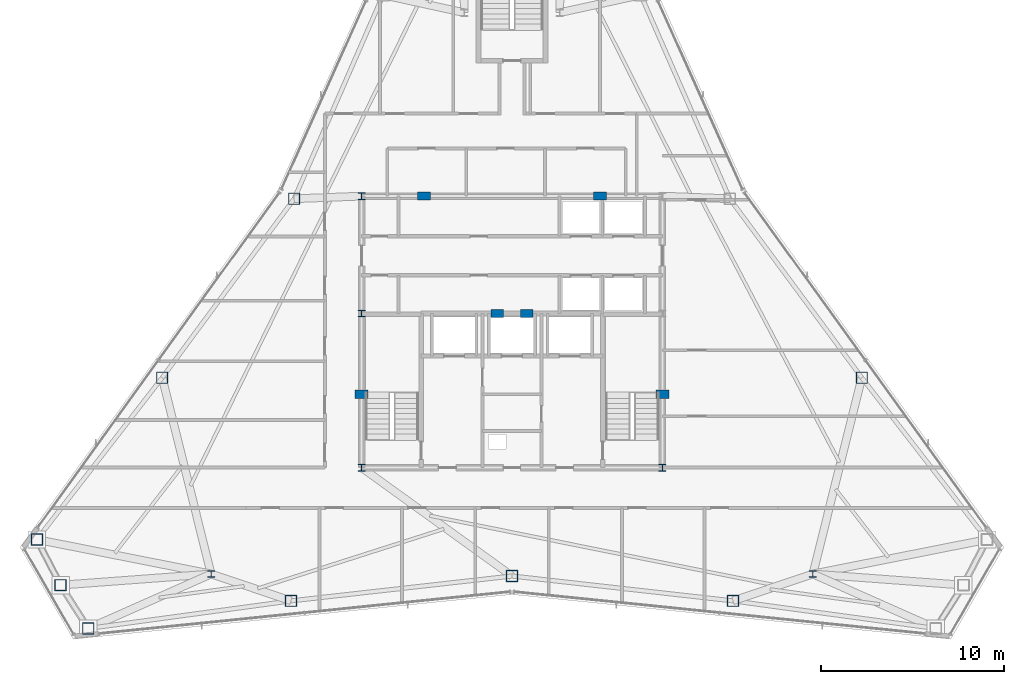
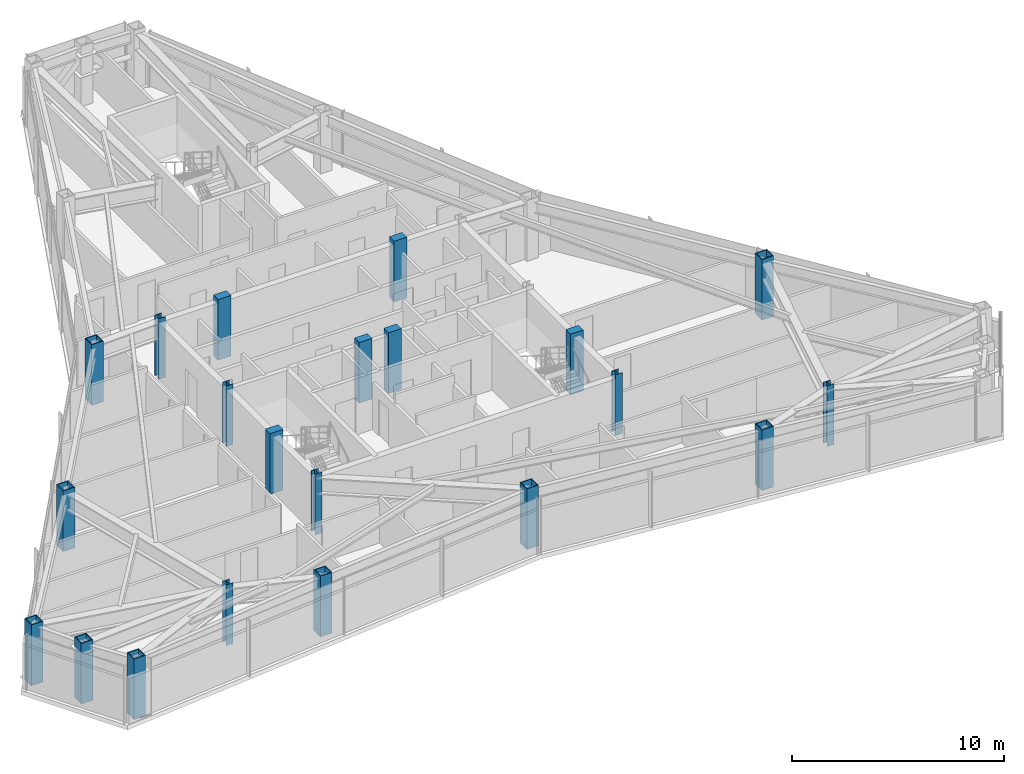
# One storey, part 1 of 12: 21 columns.
"""IFC4 building model written with IfcOpenShell, lengths in metres."""

from ifc_helpers import new_model, si_unit, direction, frame, origin, origin_2d, place, context, subcontext, project, spatial, rectangle, hollow_rectangle, i_section, extrude, material, material_profile, profile_set, type_object, element, save


model = new_model("IFC4")

# Units and contexts
model_context = context("Model", 3, precision=1e-05, world=origin(), true_north=direction((0.0, 1.0)))
body_context = subcontext(model_context, "Body", "Model", "MODEL_VIEW")
ifc_project = project(units=[si_unit("LENGTHUNIT", "METRE"), si_unit("AREAUNIT", "SQUARE_METRE"), si_unit("VOLUMEUNIT", "CUBIC_METRE"), si_unit("PLANEANGLEUNIT", "RADIAN"), si_unit("MASSUNIT", "GRAM", prefix="KILO")], contexts=[model_context])

# Site, building, storey
site_placement = place(None, origin())
site = spatial("IfcSite", under=ifc_project, at=site_placement, CompositionType="ELEMENT")
building_placement = place(site_placement, origin())
building = spatial("IfcBuilding", under=site, at=building_placement, Name="Varakhsha Concourse Tower", CompositionType="ELEMENT")
storey_placement = place(building_placement, frame((0.0, 0.0, 255.0)))
storey = spatial("IfcBuildingStorey", under=building, at=storey_placement, Name="L72", CompositionType="ELEMENT", Elevation=255.0)

# Columns
ifc_material_1 = material(Name="Structural Steel ASTM A992 Grade 50", Category="steel")
ifc_material_profile_1 = material_profile(ifc_material_1, i_section(OverallWidth=0.3740234375, OverallDepth=0.3720703125, WebThickness=0.01611328125, FlangeThickness=0.02587890625, at=origin_2d()), Name="W14X132")
ifc_profile_set_1 = profile_set([ifc_material_profile_1], Name="Structural Steel ASTM A992 Grade 50")
column_type_1 = type_object("IfcColumnType", Name="CL-CORE-W14X132", PredefinedType="COLUMN", material=ifc_profile_set_1)
for number, where, z_axis, x_axis, name in (
    (1, (31.800048828125, 16.39990234375, 0.0), (0.0, 0.0, 1.0), (1.0, 0.0, 0.0), "L72 Core Column CC-SW"),
    (2, (48.199951171875, 16.39990234375, 0.0), (0.0, 0.0, 1.0), (1.0, 0.0, 0.0), "L72 Core Column CC-SE"),
    (3, (31.800048828125, 24.800048828125, 0.0), (0.0, 0.0, 1.0), (1.0, 0.0, 0.0), "L72 Core Column CC-MW"),
    (4, (31.800048828125, 31.199951171875, 0.0), (0.0, 0.0, 1.0), (1.0, 0.0, 0.0), "L72 Core Column CC-NW"),
    (5, (23.60009765625, 10.60009765625, 0.0), (0.0, 0.0, 1.0), (1.0, 0.0, 0.0), "L72 Core Column SS-W"),
    (6, (56.39990234375, 10.60009765625, 0.0), (0.0, 0.0, 1.0), (1.0, 0.0, 0.0), "L72 Core Column SS-E"),
):
    element("IfcColumn", number, at=place(storey_placement, frame(where, z_axis=z_axis, x_axis=x_axis)), inside=storey, type_object=column_type_1, Name=name, PredefinedType="COLUMN", context=body_context, shape_type="SweptSolid", body=[
        extrude(i_section(OverallWidth=0.3740234375, OverallDepth=0.3720703125, WebThickness=0.01611328125, FlangeThickness=0.02587890625, at=origin_2d()), origin(), (0.0, 0.0, 1.0), 3.5),
    ])
ifc_material_2 = material(Name="Concrete fc 65 MPa", Category="concrete")
ifc_material_profile_2 = material_profile(ifc_material_2, rectangle(XDim=0.699951171875, YDim=0.449951171875, at=origin_2d()), Name="RC 700x450")
ifc_profile_set_2 = profile_set([ifc_material_profile_2], Name="Concrete fc 65 MPa")
column_type_2 = type_object("IfcColumnType", Name="CL-PIL-700X450", PredefinedType="PILASTER", material=ifc_profile_set_2)
for number, where, z_axis, x_axis, name in (
    (7, (31.800048828125, 20.39990234375, 0.0), (0.0, 0.0, 1.0), (1.0, 0.0, 0.0), "L72 Core Boundary Pilaster PIL-W1"),
    (8, (48.199951171875, 20.39990234375, 0.0), (0.0, 0.0, 1.0), (1.0, 0.0, 0.0), "L72 Core Boundary Pilaster PIL-E1"),
    (9, (35.199951171875, 31.199951171875, 0.0), (0.0, 0.0, 1.0), (1.0, 0.0, 0.0), "L72 Core Boundary Pilaster PIL-N1"),
    (10, (44.800048828125, 31.199951171875, 0.0), (0.0, 0.0, 1.0), (1.0, 0.0, 0.0), "L72 Core Boundary Pilaster PIL-N2"),
    (11, (39.199951171875, 24.800048828125, 0.0), (0.0, 0.0, 1.0), (1.0, 0.0, 0.0), "L72 Core Boundary Pilaster PIL-M1"),
    (12, (40.800048828125, 24.800048828125, 0.0), (0.0, 0.0, 1.0), (1.0, 0.0, 0.0), "L72 Core Boundary Pilaster PIL-M2"),
):
    element("IfcColumn", number, at=place(storey_placement, frame(where, z_axis=z_axis, x_axis=x_axis)), inside=storey, type_object=column_type_2, Name=name, PredefinedType="PILASTER", context=body_context, shape_type="SweptSolid", body=[
        extrude(rectangle(XDim=0.699951171875, YDim=0.449951171875, at=origin_2d()), origin(), (0.0, 0.0, 1.0), 3.5),
    ])
ifc_material_3 = material(Name="Structural Steel ASTM A572 Grade 50", Category="steel")
ifc_material_profile_3 = material_profile(ifc_material_3, hollow_rectangle(XDim=0.639892578125, YDim=0.639892578125, WallThickness=0.044921875, at=origin_2d()), Name="BOX 640x640x45")
ifc_profile_set_3 = profile_set([ifc_material_profile_3], Name="Structural Steel ASTM A572 Grade 50")
column_type_3 = type_object("IfcColumnType", Name="CL-TUBE-640", PredefinedType="COLUMN", material=ifc_profile_set_3)
for number, where, z_axis, x_axis, name in (
    (13, (28.125732421875, 31.0556640625, 0.0), (0.0, 0.0, 1.0), (1.0, 0.0, 0.0), "L72 Framed-Tube Column TC05"),
    (14, (20.92724609375, 21.29736328125, 0.0), (0.0, 0.0, 1.0), (1.0, 0.0, 0.0), "L72 Framed-Tube Column TC06"),
    (15, (14.10009765625, 12.47998046875, 0.0), (0.0, 0.0, 1.0), (1.0, 0.0, 0.0), "L72 Framed-Tube Column TC07"),
    (16, (15.39013671875, 9.991455078125, 0.0), (0.0, 0.0, 1.0), (1.0, 0.0, 0.0), "L72 Framed-Tube Column TC08"),
    (17, (16.900390625, 7.6298828125, 0.0), (0.0, 0.0, 1.0), (1.0, 0.0, 0.0), "L72 Framed-Tube Column TC09"),
    (18, (27.94970703125, 9.1337890625, 0.0), (0.0, 0.0, 1.0), (1.0, 0.0, 0.0), "L72 Framed-Tube Column TC10"),
    (19, (40.0, 10.48876953125, 0.0), (0.0, 0.0, 1.0), (1.0, 0.0, 0.0), "L72 Framed-Tube Column TC11"),
    (20, (52.05029296875, 9.1337890625, 0.0), (0.0, 0.0, 1.0), (1.0, 0.0, 0.0), "L72 Framed-Tube Column TC12"),
    (21, (59.07275390625, 21.29736328125, 0.0), (0.0, 0.0, 1.0), (1.0, 0.0, 0.0), "L72 Framed-Tube Column TC16"),
):
    element("IfcColumn", number, at=place(storey_placement, frame(where, z_axis=z_axis, x_axis=x_axis)), inside=storey, type_object=column_type_3, Name=name, PredefinedType="COLUMN", context=body_context, shape_type="SweptSolid", body=[
        extrude(hollow_rectangle(XDim=0.639892578125, YDim=0.639892578125, WallThickness=0.044921875, at=origin_2d()), origin(), (0.0, 0.0, 1.0), 3.5),
    ])

save(model, "model.ifc")
